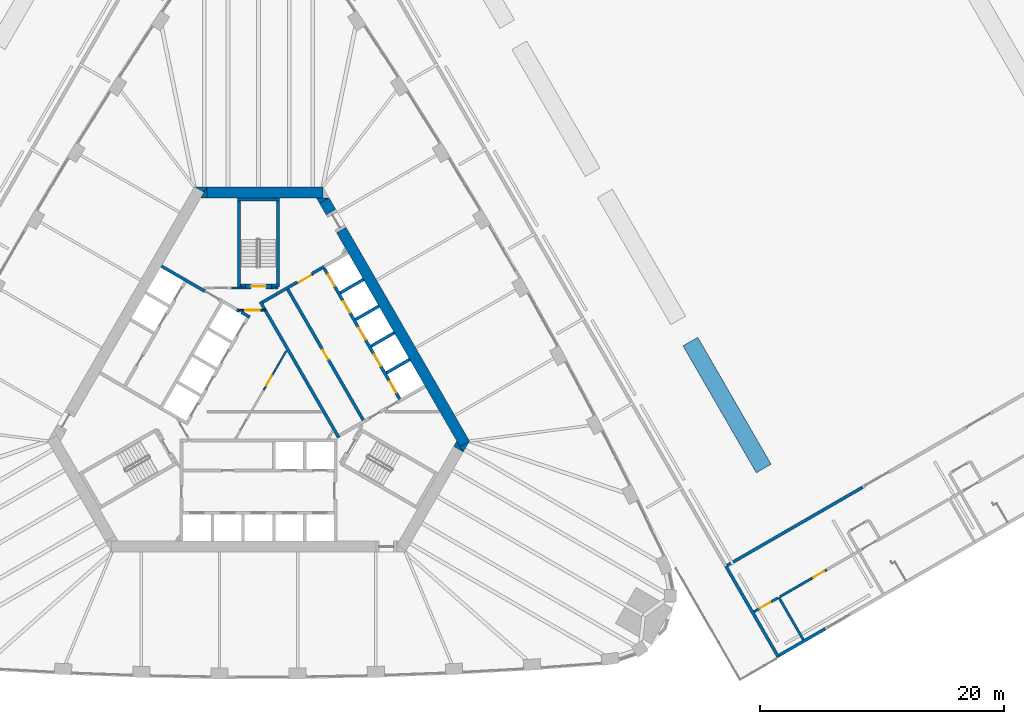
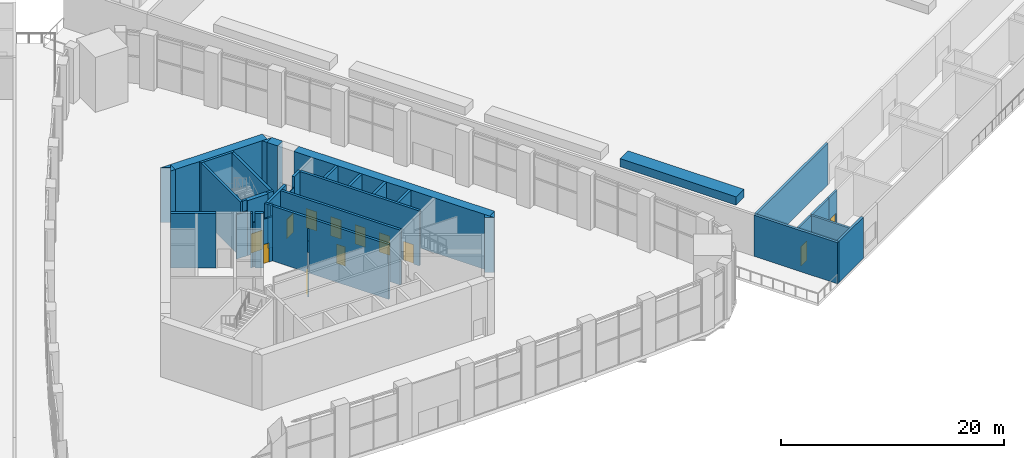
# One storey, part 27 of 41: 40 walls, 12 doors, 12 openings.
"""IFC4 building model written with IfcOpenShell, lengths in metres."""

from ifc_helpers import new_model, si_unit, direction, frame, frame_2d, origin, place, context, subcontext, project, spatial, polyline, rectangle, outline, extrude, material, layer, layer_set, type_object, element, fill, save


model = new_model("IFC4")

# Units and contexts
model_context = context("Model", 3, precision=1e-05, world=origin(), true_north=direction((0.0, 1.0)))
body_context = subcontext(model_context, "Body", "Model", "MODEL_VIEW")
ifc_project = project(units=[si_unit("LENGTHUNIT", "METRE"), si_unit("AREAUNIT", "SQUARE_METRE"), si_unit("VOLUMEUNIT", "CUBIC_METRE"), si_unit("PLANEANGLEUNIT", "RADIAN"), si_unit("MASSUNIT", "GRAM", prefix="KILO")], contexts=[model_context])

# Site, building, storey
site_placement = place(None, origin())
site = spatial("IfcSite", under=ifc_project, at=site_placement, CompositionType="ELEMENT")
building_placement = place(site_placement, origin())
building = spatial("IfcBuilding", under=site, at=building_placement, Name="Mestral Congress Tower", CompositionType="ELEMENT")
storey_placement = place(building_placement, frame((0.0, 0.0, 21.60009765625)))
storey = spatial("IfcBuildingStorey", under=building, at=storey_placement, Name="L04", CompositionType="ELEMENT", Elevation=21.60009765625)

# Walls
ifc_material_1 = material(Name="Fire-rated board partition")
ifc_layer_1 = layer(ifc_material_1, 0.14990234375)
ifc_layer_set_1 = layer_set([ifc_layer_1], Name="Fire-rated board partition")
wall_type_1 = type_object("IfcWallType", Name="Core partition 150", PredefinedType="PARTITIONING", material=ifc_layer_set_1)
wall_1_placement = place(storey_placement, frame((-2.1962890625, 8.62548828125, 0.0), z_axis=(0.0, 0.0, 1.0), x_axis=(1.0, 0.0, 0.0)))
element("IfcWall", 1, at=wall_1_placement, inside=storey, type_object=wall_type_1, Name="L04 core wall", PredefinedType="PARTITIONING", context=body_context, shape_type="SweptSolid", body=[
    extrude(rectangle(XDim=1.146240234375, YDim=0.14990234375, at=frame_2d((0.5732421875, 0.0))), origin(), (0.0, 0.0, 1.0), 4.849853515625),
])
wall_2_placement = place(storey_placement, frame((1.311767578125, 1.822021484375, 0.0), z_axis=(0.0, 0.0, 1.0), x_axis=(0.500003549559, 0.866023354436, 0.0)))
element("IfcWall", 2, at=wall_2_placement, inside=storey, type_object=wall_type_1, Name="L04 core wall", PredefinedType="PARTITIONING", context=body_context, shape_type="SweptSolid", body=[
    extrude(rectangle(XDim=1.9296875, YDim=0.14990234375, at=frame_2d((0.96484375, 0.0))), origin(), (0.0, 0.0, 1.0), 4.849853515625),
])
wall_3_placement = place(storey_placement, frame((1.050048828125, 8.62548828125, 0.0), z_axis=(0.0, 0.0, 1.0), x_axis=(1.0, 0.0, 0.0)))
element("IfcWall", 3, at=wall_3_placement, inside=storey, type_object=wall_type_1, Name="L04 core wall", PredefinedType="PARTITIONING", context=body_context, shape_type="SweptSolid", body=[
    extrude(rectangle(XDim=0.513916015625, YDim=0.14990234375, at=frame_2d((0.2568359375, 0.0))), origin(), (0.0, 0.0, 1.0), 4.849853515625),
])

# Wall, opening, door
wall_4_placement = place(storey_placement, frame((-1.534423828125, 6.800048828125, 0.0), z_axis=(0.0, 0.0, 1.0), x_axis=(1.0, 0.0, 0.0)))
wall_4 = element("IfcWall", 4, at=wall_4_placement, inside=storey, type_object=wall_type_1, Name="L04 door wall", PredefinedType="PARTITIONING", context=body_context, shape_type="SweptSolid", body=[
    extrude(rectangle(XDim=2.099853515625, YDim=0.14990234375, at=frame_2d((1.0498046875, 0.0))), origin(), (0.0, 0.0, 1.0), 4.849853515625),
])
opening_1_placement = place(wall_4_placement, frame((0.449951171875, 0.0, 0.0)))
opening_1 = element("IfcOpeningElement", 5, at=opening_1_placement, cuts=wall_4, Name="Opening CD2-FF", PredefinedType="OPENING", context=body_context, shape_type="SweptSolid", body=[
    extrude(rectangle(XDim=1.199951171875, YDim=2.10009765625, at=frame_2d((0.60009765625, 1.050048828125))), frame((0.0, 0.0849609375, 0.0), z_axis=(0.0, -1.0, 0.0), x_axis=(1.0, 0.0, 0.0)), (0.0, 0.0, 1.0), 0.169921875),
])
ifc_material_2 = material(Name="Fire-rated steel door set", Category="steel")
door_type_1 = type_object("IfcDoorType", Name="Core door CD 1200x2100", OperationType="SINGLE_SWING_LEFT", PredefinedType="DOOR", material=ifc_material_2)
door_1_placement = place(opening_1_placement, origin())
door_1 = element("IfcDoor", 6, at=door_1_placement, inside=storey, type_object=door_type_1, Name="Door CD2-FF", OperationType="SINGLE_SWING_LEFT", OverallHeight=2.10009765625, OverallWidth=1.199951171875, PredefinedType="DOOR", context=body_context, shape_type="SweptSolid", body=[
    extrude(rectangle(XDim=1.199951171875, YDim=2.10009765625, at=frame_2d((0.60009765625, 1.050048828125))), frame((0.0, 0.02490234375, 0.0), z_axis=(0.0, -1.0, 0.0), x_axis=(1.0, 0.0, 0.0)), (0.0, 0.0, 1.0), 0.050048828125),
])
fill(opening_1, door_1)

wall_5_placement = place(storey_placement, frame((0.41162109375, 0.26318359375, 0.0), z_axis=(0.0, 0.0, 1.0), x_axis=(0.500062916607, 0.865989075817, 0.0)))
wall_5 = element("IfcWall", 7, at=wall_5_placement, inside=storey, type_object=wall_type_1, Name="L04 door wall", PredefinedType="PARTITIONING", context=body_context, shape_type="SweptSolid", body=[
    extrude(rectangle(XDim=1.800048828125, YDim=0.14990234375, at=frame_2d((0.89990234375, 0.0))), origin(), (0.0, 0.0, 1.0), 4.849853515625),
])
opening_2_placement = place(wall_5_placement, frame((0.449951171875, 0.0, 0.0)))
opening_2 = element("IfcOpeningElement", 8, at=opening_2_placement, cuts=wall_5, Name="Opening SD-HUB1", PredefinedType="OPENING", context=body_context, shape_type="SweptSolid", body=[
    extrude(rectangle(XDim=0.89990234375, YDim=2.10009765625, at=frame_2d((0.449951171875, 1.050048828125))), frame((0.0, 0.0849609375, 0.0), z_axis=(0.0, -1.0, 0.0), x_axis=(1.0, 0.0, 0.0)), (0.0, 0.0, 1.0), 0.169921875),
])
door_type_2 = type_object("IfcDoorType", Name="Core door SR 900x2100", OperationType="SINGLE_SWING_LEFT", PredefinedType="DOOR", material=ifc_material_2)
door_2_placement = place(opening_2_placement, origin())
door_2 = element("IfcDoor", 9, at=door_2_placement, inside=storey, type_object=door_type_2, Name="Door SD-HUB1", OperationType="SINGLE_SWING_LEFT", OverallHeight=2.10009765625, OverallWidth=0.89990234375, PredefinedType="DOOR", context=body_context, shape_type="SweptSolid", body=[
    extrude(rectangle(XDim=0.89990234375, YDim=2.10009765625, at=frame_2d((0.449951171875, 1.050048828125))), frame((0.0, 0.02490234375, 0.0), z_axis=(0.0, -1.0, 0.0), x_axis=(1.0, 0.0, 0.0)), (0.0, 0.0, 1.0), 0.050048828125),
])
fill(opening_2, door_2)

ifc_layer_2 = layer(ifc_material_1, 0.090087890625)
ifc_layer_set_2 = layer_set([ifc_layer_2], Name="Fire-rated board partition")
wall_type_2 = type_object("IfcWallType", Name="Core partition 150 door-wall 90", PredefinedType="PARTITIONING", material=ifc_layer_set_2)
wall_6_placement = place(storey_placement, frame((3.182861328125, 9.02001953125, 0.0), z_axis=(0.0, 0.0, 1.0), x_axis=(0.866034573852, 0.49998411664, 0.0)))
wall_6 = element("IfcWall", 10, at=wall_6_placement, inside=storey, type_object=wall_type_2, Name="L04 door wall", PredefinedType="PARTITIONING", context=body_context, shape_type="SweptSolid", body=[
    extrude(rectangle(XDim=1.39990234375, YDim=0.090087890625, at=frame_2d((0.699951171875, 0.0))), origin(), (0.0, 0.0, 1.0), 4.849853515625),
])
opening_3_placement = place(wall_6_placement, frame((0.10009765625, 0.0, 0.0)))
opening_3 = element("IfcOpeningElement", 11, at=opening_3_placement, cuts=wall_6, Name="Opening LB1-WL2", PredefinedType="OPENING", context=body_context, shape_type="SweptSolid", body=[
    extrude(rectangle(XDim=1.199951171875, YDim=2.10009765625, at=frame_2d((0.60009765625, 1.050048828125))), frame((0.0, 0.054931640625, 0.0), z_axis=(0.0, -1.0, 0.0), x_axis=(1.0, 0.0, 0.0)), (0.0, 0.0, 1.0), 0.110107421875),
])
door_type_3 = type_object("IfcDoorType", Name="Core door LB 1200x2100", OperationType="SINGLE_SWING_LEFT", PredefinedType="DOOR", material=ifc_material_2)
door_3_placement = place(opening_3_placement, origin())
door_3 = element("IfcDoor", 12, at=door_3_placement, inside=storey, type_object=door_type_3, Name="Door LB1-WL2", OperationType="SINGLE_SWING_LEFT", OverallHeight=2.10009765625, OverallWidth=1.199951171875, PredefinedType="DOOR", context=body_context, shape_type="SweptSolid", body=[
    extrude(rectangle(XDim=1.199951171875, YDim=2.10009765625, at=frame_2d((0.60009765625, 1.050048828125))), frame((0.0, 0.02490234375, 0.0), z_axis=(0.0, -1.0, 0.0), x_axis=(1.0, 0.0, 0.0)), (0.0, 0.0, 1.0), 0.050048828125),
])
fill(opening_3, door_3)

# Walls
ifc_material_3 = material(Name="Concrete C60/75", Category="concrete")
ifc_layer_3 = layer(ifc_material_3, 0.89990234375)
ifc_layer_set_3 = layer_set([ifc_layer_3], Name="Concrete C60/75")
wall_type_3 = type_object("IfcWallType", Name="Core wall RC 900", PredefinedType="SOLIDWALL", material=ifc_layer_set_3)
wall_7_placement = place(storey_placement, frame((6.77587890625, 13.36376953125, 0.0), z_axis=(0.0, 0.0, 1.0), x_axis=(0.500004177138, -0.8660229921, 0.0)))
element("IfcWall", 13, at=wall_7_placement, inside=storey, type_object=wall_type_3, Name="L04 core wall", PredefinedType="SOLIDWALL", context=body_context, shape_type="SweptSolid", body=[
    extrude(rectangle(XDim=20.203857421875, YDim=0.89990234375, at=frame_2d((10.10205078125, 0.0))), origin(), (0.0, 0.0, 1.0), 6.0),
])
placement = place(storey_placement, origin())
element("IfcWall", 14, at=placement, inside=storey, type_object=wall_type_3, Name="L04 core wall", PredefinedType="SOLIDWALL", context=body_context, shape_type="SweptSolid", body=[
    extrude(outline(polyline([(16.7431640625, -4.800048828125), (16.4892578125, -4.360107421875), (17.251220703125, -3.920166015625), (16.7431640625, -4.800048828125)])), origin(), (0.0, 0.0, 1.0), 6.0),
])
element("IfcWall", 15, at=placement, inside=storey, type_object=wall_type_3, Name="L04 core wall", PredefinedType="SOLIDWALL", context=body_context, shape_type="SweptSolid", body=[
    extrude(outline(polyline([(16.223388671875, -3.900146484375), (16.731689453125, -4.780029296875), (15.969482421875, -4.340087890625), (16.223388671875, -3.900146484375)])), origin(), (0.0, 0.0, 1.0), 6.0),
])
element("IfcWall", 16, at=placement, inside=storey, type_object=wall_type_3, Name="L04 core wall", PredefinedType="SOLIDWALL", context=body_context, shape_type="SweptSolid", body=[
    extrude(outline(polyline([(-4.214599609375, 16.89990234375), (-4.46875, 16.460205078125), (-5.230712890625, 16.89990234375), (-4.214599609375, 16.89990234375)])), origin(), (0.0, 0.0, 1.0), 6.0),
])
wall_11_placement = place(storey_placement, frame((-4.224365234375, 16.449951171875, 0.0), z_axis=(0.0, 0.0, 1.0), x_axis=(1.0, 0.0, 0.0)))
element("IfcWall", 17, at=wall_11_placement, inside=storey, type_object=wall_type_3, Name="L04 core wall", PredefinedType="SOLIDWALL", context=body_context, shape_type="SweptSolid", body=[
    extrude(rectangle(XDim=9.48779296875, YDim=0.89990234375, at=frame_2d((4.743896484375, 0.0))), origin(), (0.0, 0.0, 1.0), 6.0),
])
element("IfcWall", 18, at=placement, inside=storey, type_object=wall_type_3, Name="L04 core wall", PredefinedType="SOLIDWALL", context=body_context, shape_type="SweptSolid", body=[
    extrude(outline(polyline([(-4.734375, 16.0), (-4.226318359375, 16.8798828125), (-4.226318359375, 16.0), (-4.734375, 16.0)])), origin(), (0.0, 0.0, 1.0), 6.0),
])
wall_13_placement = place(storey_placement, frame((5.92578125, 14.836181640625, 0.0), z_axis=(0.0, 0.0, 1.0), x_axis=(-0.500076735116, 0.865981096212, 0.0)))
element("IfcWall", 19, at=wall_13_placement, inside=storey, type_object=wall_type_3, Name="L04 core wall", PredefinedType="SOLIDWALL", context=body_context, shape_type="SweptSolid", body=[
    extrude(rectangle(XDim=1.093505859375, YDim=0.89990234375, at=frame_2d((0.546875, 0.0))), origin(), (0.0, 0.0, 1.0), 6.0),
])
element("IfcWall", 20, at=placement, inside=storey, type_object=wall_type_3, Name="L04 core wall", PredefinedType="SOLIDWALL", context=body_context, shape_type="SweptSolid", body=[
    extrude(outline(polyline([(4.734375, 16.0), (5.750244140625, 16.0), (4.98828125, 15.56005859375), (4.734375, 16.0)])), origin(), (0.0, 0.0, 1.0), 6.0),
])
ifc_material_4 = material(Name="Precast concrete C40/50 with limestone facing", Category="masonry")
ifc_layer_4 = layer(ifc_material_4, 0.25)
ifc_layer_set_4 = layer_set([ifc_layer_4], Name="Precast concrete C40/50 with limestone facing")
wall_type_4 = type_object("IfcWallType", Name="Podium external wall 250 R 180 load-bearing to roof", PredefinedType="SOLIDWALL", material=ifc_layer_set_4)
wall_15_placement = place(storey_placement, frame((42.5625, -21.614501953125, 0.0), z_axis=(0.0, 0.0, 1.0), x_axis=(-0.499999331568, 0.866025789703, 0.0)))
element("IfcWall", 21, at=wall_15_placement, inside=storey, type_object=wall_type_4, Name="L04 external wall", PredefinedType="SOLIDWALL", context=body_context, shape_type="SweptSolid", body=[
    extrude(rectangle(XDim=8.625, YDim=0.25, at=frame_2d((4.3125, 0.0))), origin(), (0.0, 0.0, 1.0), 4.5),
])
wall_16_placement = place(storey_placement, frame((46.397216796875, -19.256103515625, 0.0), z_axis=(0.0, 0.0, 1.0), x_axis=(-0.866022959057, -0.500004234368, 0.0)))
element("IfcWall", 22, at=wall_16_placement, inside=storey, type_object=wall_type_4, Name="L04 external wall", PredefinedType="SOLIDWALL", context=body_context, shape_type="SweptSolid", body=[
    extrude(rectangle(XDim=4.375, YDim=0.25, at=frame_2d((2.1875, 0.0))), origin(), (0.0, 0.0, 1.0), 4.5),
])
wall_17_placement = place(storey_placement, frame((49.443359375, -7.6826171875, 0.0), z_axis=(0.0, 0.0, 1.0), x_axis=(-0.866025499775, -0.499999833739, 0.0)))
element("IfcWall", 23, at=wall_17_placement, inside=storey, type_object=wall_type_4, Name="L04 external wall", PredefinedType="SOLIDWALL", context=body_context, shape_type="SweptSolid", body=[
    extrude(rectangle(XDim=12.7998046875, YDim=0.25, at=frame_2d((6.39990234375, 0.0))), origin(), (0.0, 0.0, 1.0), 4.5),
])
ifc_material_5 = material(Name="Precast concrete C30/37 planter", Category="concrete")
ifc_layer_5 = layer(ifc_material_5, 1.39990234375)
ifc_layer_set_5 = layer_set([ifc_layer_5], Name="Precast concrete C30/37 planter")
wall_type_5 = type_object("IfcWallType", Name="Podium planter bed 1400", PredefinedType="SOLIDWALL", material=ifc_layer_set_5)
wall_18_placement = place(storey_placement, frame((41.34326171875, -6.152587890625, 0.0), z_axis=(0.0, 0.0, 1.0), x_axis=(-0.49999894854, 0.866026010844, 0.0)))
element("IfcWall", 24, at=wall_18_placement, inside=storey, type_object=wall_type_5, Name="PLANTER", PredefinedType="SOLIDWALL", context=body_context, shape_type="SweptSolid", body=[
    extrude(rectangle(XDim=12.0, YDim=1.39990234375, at=frame_2d((6.0, 0.0))), origin(), (0.0, 0.0, 1.0), 0.89990234375),
])
ifc_layer_6 = layer(ifc_material_1, 0.199951171875)
ifc_layer_set_6 = layer_set([ifc_layer_6], Name="Fire-rated board partition")
wall_type_6 = type_object("IfcWallType", Name="Podium vestibule wall 200 EI 120", PredefinedType="PARTITIONING", material=ifc_layer_set_6)
wall_19_placement = place(storey_placement, frame((44.5810546875, -20.160400390625, 0.0), z_axis=(0.0, 0.0, 1.0), x_axis=(-0.49999894854, 0.866026010844, 0.0)))
element("IfcWall", 25, at=wall_19_placement, inside=storey, type_object=wall_type_6, Name="L04 partition", PredefinedType="PARTITIONING", context=body_context, shape_type="SweptSolid", body=[
    extrude(rectangle(XDim=4.0, YDim=0.199951171875, at=frame_2d((2.0, 0.0))), origin(), (0.0, 0.0, 1.0), 4.5),
])

# Wall, opening, door
wall_20_placement = place(storey_placement, frame((42.494384765625, -16.746337890625, 0.0), z_axis=(0.0, 0.0, 1.0), x_axis=(-0.866017533419, -0.500013631625, 0.0)))
wall_20 = element("IfcWall", 26, at=wall_20_placement, inside=storey, type_object=wall_type_6, Name="L04 partition", PredefinedType="PARTITIONING", context=body_context, shape_type="SweptSolid", body=[
    extrude(rectangle(XDim=2.25, YDim=0.199951171875, at=frame_2d((1.125, 0.0))), origin(), (0.0, 0.0, 1.0), 4.5),
])
opening_4_placement = place(wall_20_placement, frame((0.699951171875, 0.0, 0.0)))
opening_4 = element("IfcOpeningElement", 27, at=opening_4_placement, cuts=wall_20, Name="Opening P04-023", PredefinedType="OPENING", context=body_context, shape_type="SweptSolid", body=[
    extrude(rectangle(XDim=1.0, YDim=2.10009765625, at=frame_2d((0.5, 1.050048828125))), frame((0.0, 0.10986328125, 0.0), z_axis=(0.0, -1.0, 0.0), x_axis=(1.0, 0.0, 0.0)), (0.0, 0.0, 1.0), 0.219970703125),
])
door_type_4 = type_object("IfcDoorType", Name="Podium room door 1000x2100 EI2 30-C5", OperationType="SINGLE_SWING_LEFT", PredefinedType="DOOR", material=ifc_material_2)
door_4_placement = place(opening_4_placement, origin())
door_4 = element("IfcDoor", 28, at=door_4_placement, inside=storey, type_object=door_type_4, Name="Door P04-023", OperationType="SINGLE_SWING_LEFT", OverallHeight=2.10009765625, OverallWidth=1.0, PredefinedType="DOOR", context=body_context, shape_type="SweptSolid", body=[
    extrude(rectangle(XDim=1.0, YDim=2.10009765625, at=frame_2d((0.5, 1.050048828125))), frame((0.0, 0.02490234375, 0.0), z_axis=(0.0, -1.0, 0.0), x_axis=(1.0, 0.0, 0.0)), (0.0, 0.0, 1.0), 0.050048828125),
])
fill(opening_4, door_4)

# Wall
wall_21_placement = place(storey_placement, frame((42.66748046875, -16.646484375, 0.0), z_axis=(0.0, 0.0, 1.0), x_axis=(0.86601045545, 0.500025890382, 0.0)))
element("IfcWall", 29, at=wall_21_placement, inside=storey, type_object=wall_type_6, Name="L04 partition", PredefinedType="PARTITIONING", context=body_context, shape_type="SweptSolid", body=[
    extrude(rectangle(XDim=2.925048828125, YDim=0.199951171875, at=frame_2d((1.46240234375, 0.0))), origin(), (0.0, 0.0, 1.0), 4.5),
])

# Wall, opening, door
wall_22_placement = place(storey_placement, frame((46.499755859375, -14.433837890625, 0.0), z_axis=(0.0, 0.0, 1.0), x_axis=(-0.866031096941, -0.499990139034, 0.0)))
wall_22 = element("IfcWall", 30, at=wall_22_placement, inside=storey, type_object=wall_type_6, Name="L04 partition", PredefinedType="PARTITIONING", context=body_context, shape_type="SweptSolid", body=[
    extrude(rectangle(XDim=1.5, YDim=0.199951171875, at=frame_2d((0.75, 0.0))), origin(), (0.0, 0.0, 1.0), 4.5),
])
opening_5_placement = place(wall_22_placement, frame((0.25, 0.0, 0.0)))
opening_5 = element("IfcOpeningElement", 31, at=opening_5_placement, cuts=wall_22, Name="Opening P04-029", PredefinedType="OPENING", context=body_context, shape_type="SweptSolid", body=[
    extrude(rectangle(XDim=1.0, YDim=2.10009765625, at=frame_2d((0.5, 1.050048828125))), frame((0.0, 0.10986328125, 0.0), z_axis=(0.0, -1.0, 0.0), x_axis=(1.0, 0.0, 0.0)), (0.0, 0.0, 1.0), 0.219970703125),
])
door_5_placement = place(opening_5_placement, origin())
door_5 = element("IfcDoor", 32, at=door_5_placement, inside=storey, type_object=door_type_4, Name="Door P04-029", OperationType="SINGLE_SWING_LEFT", OverallHeight=2.10009765625, OverallWidth=1.0, PredefinedType="DOOR", context=body_context, shape_type="SweptSolid", body=[
    extrude(rectangle(XDim=1.0, YDim=2.10009765625, at=frame_2d((0.5, 1.050048828125))), frame((0.0, 0.02490234375, 0.0), z_axis=(0.0, -1.0, 0.0), x_axis=(1.0, 0.0, 0.0)), (0.0, 0.0, 1.0), 0.050048828125),
])
fill(opening_5, door_5)

# Walls
ifc_layer_7 = layer(ifc_material_3, 0.25)
ifc_layer_set_7 = layer_set([ifc_layer_7], Name="Concrete C60/75")
wall_type_7 = type_object("IfcWallType", Name="Shaft wall RC 250", PredefinedType="SOLIDWALL", material=ifc_layer_set_7)
wall_23_placement = place(storey_placement, frame((10.463623046875, 1.676513671875, 0.0), z_axis=(0.0, 0.0, 1.0), x_axis=(0.86605622881, 0.499946605688, 0.0)))
element("IfcWall", 33, at=wall_23_placement, inside=storey, type_object=wall_type_7, Name="L04 core wall", PredefinedType="SOLIDWALL", context=body_context, shape_type="SweptSolid", body=[
    extrude(rectangle(XDim=2.199951171875, YDim=0.25, at=frame_2d((1.10009765625, 0.0))), origin(), (0.0, 0.0, 1.0), 6.0),
])
element("IfcWall", 34, at=placement, inside=storey, type_object=wall_type_7, Name="L04 core wall", PredefinedType="SOLIDWALL", context=body_context, shape_type="SweptSolid", body=[
    extrude(outline(polyline([(0.565673828125, 6.72509765625), (0.565673828125, 6.875), (0.565673828125, 6.875), (0.5654296875, 6.875), (0.36083984375, 6.875), (0.03515625, 7.439208984375), (0.251708984375, 7.564208984375), (0.376708984375, 7.34765625), (6.551513671875, -3.34765625), (6.676513671875, -3.564208984375), (6.460205078125, -3.689208984375), (0.447509765625, 6.724853515625), (0.5654296875, 6.724853515625), (0.565673828125, 6.724853515625), (0.565673828125, 6.72509765625)])), origin(), (0.0, 0.0, 1.0), 6.0),
])
wall_25_placement = place(storey_placement, frame((4.3583984375, 9.791015625, 0.0), z_axis=(0.0, 0.0, 1.0), x_axis=(0.866079547155, 0.499906209203, 0.0)))
element("IfcWall", 35, at=wall_25_placement, inside=storey, type_object=wall_type_7, Name="L04 core wall", PredefinedType="SOLIDWALL", context=body_context, shape_type="SweptSolid", body=[
    extrude(rectangle(XDim=1.150146484375, YDim=0.25, at=frame_2d((0.5751953125, 0.0))), origin(), (0.0, 0.0, 1.0), 6.0),
])
wall_26_placement = place(storey_placement, frame((0.314208984375, 7.455810546875, 0.0), z_axis=(0.0, 0.0, 1.0), x_axis=(0.866013897511, 0.50001992892, 0.0)))
element("IfcWall", 36, at=wall_26_placement, inside=storey, type_object=wall_type_7, Name="L04 core wall", PredefinedType="SOLIDWALL", context=body_context, shape_type="SweptSolid", body=[
    extrude(rectangle(XDim=3.267822265625, YDim=0.25, at=frame_2d((1.6337890625, 0.0))), origin(), (0.0, 0.0, 1.0), 6.0),
])
for number, where, z_axis, x_axis, name in (
    (37, (6.68359375, 8.2236328125, 0.0), (0.0, 0.0, 1.0), (0.86605622881, 0.499946605688, 0.0), "L04 core wall"),
    (38, (7.943603515625, 6.041259765625, 0.0), (0.0, 0.0, 1.0), (0.86605622881, 0.499946605688, 0.0), "L04 core wall"),
    (39, (9.20361328125, 3.85888671875, 0.0), (0.0, 0.0, 1.0), (0.86605622881, 0.499946605688, 0.0), "L04 core wall"),
):
    element("IfcWall", number, at=place(storey_placement, frame(where, z_axis=z_axis, x_axis=x_axis)), inside=storey, type_object=wall_type_7, Name=name, PredefinedType="SOLIDWALL", context=body_context, shape_type="SweptSolid", body=[
        extrude(rectangle(XDim=2.199951171875, YDim=0.25, at=frame_2d((1.10009765625, 0.0))), origin(), (0.0, 0.0, 1.0), 6.0),
    ])
wall_27_placement = place(storey_placement, frame((-1.75830078125, 6.834716796875, 0.0), z_axis=(0.0, 0.0, 1.0), x_axis=(0.865982457891, -0.500074377092, 0.0)))
element("IfcWall", 40, at=wall_27_placement, inside=storey, type_object=wall_type_7, Name="L04 core wall", PredefinedType="SOLIDWALL", context=body_context, shape_type="SweptSolid", body=[
    extrude(rectangle(XDim=0.2001953125, YDim=0.25, at=frame_2d((0.10009765625, 0.0))), origin(), (0.0, 0.0, 1.0), 6.0),
])
wall_28_placement = place(storey_placement, frame((-0.7275390625, 6.23974609375, 0.0), z_axis=(0.0, 0.0, 1.0), x_axis=(-0.865955664968, 0.500120771724, 0.0)))
element("IfcWall", 41, at=wall_28_placement, inside=storey, type_object=wall_type_7, Name="L04 core wall", PredefinedType="SOLIDWALL", context=body_context, shape_type="SweptSolid", body=[
    extrude(rectangle(XDim=0.778076171875, YDim=0.25, at=frame_2d((0.38916015625, 0.0))), origin(), (0.0, 0.0, 1.0), 6.0),
])
wall_29_placement = place(storey_placement, frame((-7.958984375, 10.414794921875, 0.0), z_axis=(0.0, 0.0, 1.0), x_axis=(0.866020958405, -0.500007699544, 0.0)))
element("IfcWall", 42, at=wall_29_placement, inside=storey, type_object=wall_type_7, Name="L04 core wall", PredefinedType="SOLIDWALL", context=body_context, shape_type="SweptSolid", body=[
    extrude(rectangle(XDim=4.099609375, YDim=0.25, at=frame_2d((2.0498046875, 0.0))), origin(), (0.0, 0.0, 1.0), 6.0),
])

# Wall, openings, doors
wall_30_placement = place(storey_placement, frame((11.552978515625, -0.460205078125, 0.0), z_axis=(0.0, 0.0, 1.0), x_axis=(-0.500006514828, 0.866021642414, 0.0)))
wall_30 = element("IfcWall", 43, at=wall_30_placement, inside=storey, type_object=wall_type_7, Name="L04 door wall", PredefinedType="SOLIDWALL", context=body_context, shape_type="SweptSolid", body=[
    extrude(rectangle(XDim=12.349853515625, YDim=0.25, at=frame_2d((6.1748046875, 0.0))), origin(), (0.0, 0.0, 1.0), 6.0),
])
opening_6_placement = place(wall_30_placement, frame((0.5849609375, 0.0, 0.0)))
opening_6 = element("IfcOpeningElement", 44, at=opening_6_placement, cuts=wall_30, Name="Opening LD-NEA1", PredefinedType="OPENING", context=body_context, shape_type="SweptSolid", body=[
    extrude(rectangle(XDim=1.10009765625, YDim=2.10009765625, at=frame_2d((0.550048828125, 1.050048828125))), frame((0.0, 0.135009765625, 0.0), z_axis=(0.0, -1.0, 0.0), x_axis=(1.0, 0.0, 0.0)), (0.0, 0.0, 1.0), 0.27001953125),
])
opening_7_placement = place(wall_30_placement, frame((3.10498046875, 0.0, 0.0)))
opening_7 = element("IfcOpeningElement", 45, at=opening_7_placement, cuts=wall_30, Name="Opening LD-NEA2", PredefinedType="OPENING", context=body_context, shape_type="SweptSolid", body=[
    extrude(rectangle(XDim=1.10009765625, YDim=2.10009765625, at=frame_2d((0.550048828125, 1.050048828125))), frame((0.0, 0.135009765625, 0.0), z_axis=(0.0, -1.0, 0.0), x_axis=(1.0, 0.0, 0.0)), (0.0, 0.0, 1.0), 0.27001953125),
])
opening_8_placement = place(wall_30_placement, frame((5.625, 0.0, 0.0)))
opening_8 = element("IfcOpeningElement", 46, at=opening_8_placement, cuts=wall_30, Name="Opening LD-NEA3", PredefinedType="OPENING", context=body_context, shape_type="SweptSolid", body=[
    extrude(rectangle(XDim=1.10009765625, YDim=2.10009765625, at=frame_2d((0.550048828125, 1.050048828125))), frame((0.0, 0.135009765625, 0.0), z_axis=(0.0, -1.0, 0.0), x_axis=(1.0, 0.0, 0.0)), (0.0, 0.0, 1.0), 0.27001953125),
])
opening_9_placement = place(wall_30_placement, frame((8.14501953125, 0.0, 0.0)))
opening_9 = element("IfcOpeningElement", 47, at=opening_9_placement, cuts=wall_30, Name="Opening LD-NEA4", PredefinedType="OPENING", context=body_context, shape_type="SweptSolid", body=[
    extrude(rectangle(XDim=1.10009765625, YDim=2.10009765625, at=frame_2d((0.550048828125, 1.050048828125))), frame((0.0, 0.135009765625, 0.0), z_axis=(0.0, -1.0, 0.0), x_axis=(1.0, 0.0, 0.0)), (0.0, 0.0, 1.0), 0.27001953125),
])
opening_10_placement = place(wall_30_placement, frame((10.6650390625, 0.0, 0.0)))
opening_10 = element("IfcOpeningElement", 48, at=opening_10_placement, cuts=wall_30, Name="Opening LD-NEA5", PredefinedType="OPENING", context=body_context, shape_type="SweptSolid", body=[
    extrude(rectangle(XDim=1.10009765625, YDim=2.10009765625, at=frame_2d((0.550048828125, 1.050048828125))), frame((0.0, 0.135009765625, 0.0), z_axis=(0.0, -1.0, 0.0), x_axis=(1.0, 0.0, 0.0)), (0.0, 0.0, 1.0), 0.27001953125),
])
door_type_5 = type_object("IfcDoorType", Name="Core door LD 1100x2100", OperationType="DOUBLE_DOOR_SLIDING", PredefinedType="DOOR", material=ifc_material_2)
door_6_placement = place(opening_6_placement, origin())
door_6 = element("IfcDoor", 49, at=door_6_placement, inside=storey, type_object=door_type_5, Name="Door LD-NEA1", OperationType="DOUBLE_DOOR_SLIDING", OverallHeight=2.10009765625, OverallWidth=1.10009765625, PredefinedType="DOOR", context=body_context, shape_type="SweptSolid", body=[
    extrude(rectangle(XDim=1.10009765625, YDim=2.10009765625, at=frame_2d((0.550048828125, 1.050048828125))), frame((0.0, 0.02490234375, 0.0), z_axis=(0.0, -1.0, 0.0), x_axis=(1.0, 0.0, 0.0)), (0.0, 0.0, 1.0), 0.050048828125),
])
fill(opening_6, door_6)
door_7_placement = place(opening_7_placement, origin())
door_7 = element("IfcDoor", 50, at=door_7_placement, inside=storey, type_object=door_type_5, Name="Door LD-NEA2", OperationType="DOUBLE_DOOR_SLIDING", OverallHeight=2.10009765625, OverallWidth=1.10009765625, PredefinedType="DOOR", context=body_context, shape_type="SweptSolid", body=[
    extrude(rectangle(XDim=1.10009765625, YDim=2.10009765625, at=frame_2d((0.550048828125, 1.050048828125))), frame((0.0, 0.02490234375, 0.0), z_axis=(0.0, -1.0, 0.0), x_axis=(1.0, 0.0, 0.0)), (0.0, 0.0, 1.0), 0.050048828125),
])
fill(opening_7, door_7)
door_8_placement = place(opening_8_placement, origin())
door_8 = element("IfcDoor", 51, at=door_8_placement, inside=storey, type_object=door_type_5, Name="Door LD-NEA3", OperationType="DOUBLE_DOOR_SLIDING", OverallHeight=2.10009765625, OverallWidth=1.10009765625, PredefinedType="DOOR", context=body_context, shape_type="SweptSolid", body=[
    extrude(rectangle(XDim=1.10009765625, YDim=2.10009765625, at=frame_2d((0.550048828125, 1.050048828125))), frame((0.0, 0.02490234375, 0.0), z_axis=(0.0, -1.0, 0.0), x_axis=(1.0, 0.0, 0.0)), (0.0, 0.0, 1.0), 0.050048828125),
])
fill(opening_8, door_8)
door_9_placement = place(opening_9_placement, origin())
door_9 = element("IfcDoor", 52, at=door_9_placement, inside=storey, type_object=door_type_5, Name="Door LD-NEA4", OperationType="DOUBLE_DOOR_SLIDING", OverallHeight=2.10009765625, OverallWidth=1.10009765625, PredefinedType="DOOR", context=body_context, shape_type="SweptSolid", body=[
    extrude(rectangle(XDim=1.10009765625, YDim=2.10009765625, at=frame_2d((0.550048828125, 1.050048828125))), frame((0.0, 0.02490234375, 0.0), z_axis=(0.0, -1.0, 0.0), x_axis=(1.0, 0.0, 0.0)), (0.0, 0.0, 1.0), 0.050048828125),
])
fill(opening_9, door_9)
door_10_placement = place(opening_10_placement, origin())
door_10 = element("IfcDoor", 53, at=door_10_placement, inside=storey, type_object=door_type_5, Name="Door LD-NEA5", OperationType="DOUBLE_DOOR_SLIDING", OverallHeight=2.10009765625, OverallWidth=1.10009765625, PredefinedType="DOOR", context=body_context, shape_type="SweptSolid", body=[
    extrude(rectangle(XDim=1.10009765625, YDim=2.10009765625, at=frame_2d((0.550048828125, 1.050048828125))), frame((0.0, 0.02490234375, 0.0), z_axis=(0.0, -1.0, 0.0), x_axis=(1.0, 0.0, 0.0)), (0.0, 0.0, 1.0), 0.050048828125),
])
fill(opening_10, door_10)

# Wall, opening, door
wall_31_placement = place(storey_placement, frame((8.565185546875, -2.185302734375, 0.0), z_axis=(0.0, 0.0, 1.0), x_axis=(-0.499997954832, 0.866026584559, 0.0)))
wall_31 = element("IfcWall", 54, at=wall_31_placement, inside=storey, type_object=wall_type_7, Name="L04 door wall", PredefinedType="SOLIDWALL", context=body_context, shape_type="SweptSolid", body=[
    extrude(rectangle(XDim=12.35009765625, YDim=0.25, at=frame_2d((6.175048828125, 0.0))), origin(), (0.0, 0.0, 1.0), 6.0),
])
opening_11_placement = place(wall_31_placement, frame((5.72509765625, 0.0, 0.0)))
opening_11 = element("IfcOpeningElement", 55, at=opening_11_placement, cuts=wall_31, Name="Opening SR-NEB1", PredefinedType="OPENING", context=body_context, shape_type="SweptSolid", body=[
    extrude(rectangle(XDim=0.89990234375, YDim=2.10009765625, at=frame_2d((0.449951171875, 1.050048828125))), frame((0.0, 0.135009765625, 0.0), z_axis=(0.0, -1.0, 0.0), x_axis=(1.0, 0.0, 0.0)), (0.0, 0.0, 1.0), 0.27001953125),
])
door_11_placement = place(opening_11_placement, origin())
door_11 = element("IfcDoor", 56, at=door_11_placement, inside=storey, type_object=door_type_2, Name="Door SR-NEB1", OperationType="SINGLE_SWING_LEFT", OverallHeight=2.10009765625, OverallWidth=0.89990234375, PredefinedType="DOOR", context=body_context, shape_type="SweptSolid", body=[
    extrude(rectangle(XDim=0.89990234375, YDim=2.10009765625, at=frame_2d((0.449951171875, 1.050048828125))), frame((0.0, 0.02490234375, 0.0), z_axis=(0.0, -1.0, 0.0), x_axis=(1.0, 0.0, 0.0)), (0.0, 0.0, 1.0), 0.050048828125),
])
fill(opening_11, door_11)

# Walls
ifc_layer_8 = layer(ifc_material_3, 0.25)
ifc_layer_set_8 = layer_set([ifc_layer_8], Name="Concrete C60/75")
wall_type_8 = type_object("IfcWallType", Name="Stair wall RC 250", PredefinedType="SOLIDWALL", material=ifc_layer_set_8)
wall_32_placement = place(storey_placement, frame((-1.72509765625, 15.875, 0.0), z_axis=(0.0, 0.0, 1.0), x_axis=(1.0, 0.0, 0.0)))
element("IfcWall", 57, at=wall_32_placement, inside=storey, type_object=wall_type_8, Name="L04 core wall", PredefinedType="SOLIDWALL", context=body_context, shape_type="SweptSolid", body=[
    extrude(rectangle(XDim=3.4501953125, YDim=0.25, at=frame_2d((1.72509765625, 0.0))), origin(), (0.0, 0.0, 1.0), 6.0),
])
wall_33_placement = place(storey_placement, frame((1.60009765625, 8.949951171875, 0.0), z_axis=(0.0, 0.0, 1.0), x_axis=(0.0, 1.0, 0.0)))
element("IfcWall", 58, at=wall_33_placement, inside=storey, type_object=wall_type_8, Name="L04 core wall", PredefinedType="SOLIDWALL", context=body_context, shape_type="SweptSolid", body=[
    extrude(rectangle(XDim=6.800048828125, YDim=0.25, at=frame_2d((3.39990234375, 0.0))), origin(), (0.0, 0.0, 1.0), 6.0),
])
wall_34_placement = place(storey_placement, frame((1.050048828125, 8.824951171875, 0.0), z_axis=(0.0, 0.0, 1.0), x_axis=(1.0, 0.0, 0.0)))
element("IfcWall", 59, at=wall_34_placement, inside=storey, type_object=wall_type_8, Name="L04 core wall", PredefinedType="SOLIDWALL", context=body_context, shape_type="SweptSolid", body=[
    extrude(rectangle(XDim=0.675048828125, YDim=0.25, at=frame_2d((0.33740234375, 0.0))), origin(), (0.0, 0.0, 1.0), 6.0),
])
wall_35_placement = place(storey_placement, frame((-1.60009765625, 8.699951171875, 0.0), z_axis=(0.0, 0.0, 1.0), x_axis=(0.0, 1.0, 0.0)))
element("IfcWall", 60, at=wall_35_placement, inside=storey, type_object=wall_type_8, Name="L04 core wall", PredefinedType="SOLIDWALL", context=body_context, shape_type="SweptSolid", body=[
    extrude(rectangle(XDim=7.050048828125, YDim=0.25, at=frame_2d((3.52490234375, 0.0))), origin(), (0.0, 0.0, 1.0), 6.0),
])
wall_36_placement = place(storey_placement, frame((-1.47509765625, 8.824951171875, 0.0), z_axis=(0.0, 0.0, 1.0), x_axis=(1.0, 0.0, 0.0)))
element("IfcWall", 61, at=wall_36_placement, inside=storey, type_object=wall_type_8, Name="L04 core wall", PredefinedType="SOLIDWALL", context=body_context, shape_type="SweptSolid", body=[
    extrude(rectangle(XDim=0.425048828125, YDim=0.25, at=frame_2d((0.21240234375, 0.0))), origin(), (0.0, 0.0, 1.0), 6.0),
])

# Wall, opening, door
ifc_layer_9 = layer(ifc_material_3, 0.39990234375)
ifc_layer_set_9 = layer_set([ifc_layer_9], Name="Concrete C60/75")
wall_type_9 = type_object("IfcWallType", Name="Stair wall RC 250 door-wall 400", PredefinedType="SOLIDWALL", material=ifc_layer_set_9)
wall_37_placement = place(storey_placement, frame((1.050048828125, 8.75, 0.0), z_axis=(0.0, 0.0, 1.0), x_axis=(-1.0, 0.0, 0.0)))
wall_37 = element("IfcWall", 62, at=wall_37_placement, inside=storey, type_object=wall_type_9, Name="L04 door wall", PredefinedType="SOLIDWALL", context=body_context, shape_type="SweptSolid", body=[
    extrude(rectangle(XDim=2.10009765625, YDim=0.39990234375, at=frame_2d((1.050048828125, 0.0))), origin(), (0.0, 0.0, 1.0), 6.0),
])
opening_12_placement = place(wall_37_placement, frame((0.449951171875, 0.0, 0.0)))
opening_12 = element("IfcOpeningElement", 63, at=opening_12_placement, cuts=wall_37, Name="Opening ST-D2", PredefinedType="OPENING", context=body_context, shape_type="SweptSolid", body=[
    extrude(rectangle(XDim=1.199951171875, YDim=2.10009765625, at=frame_2d((0.60009765625, 1.050048828125))), frame((0.0, 0.2099609375, 0.0), z_axis=(0.0, -1.0, 0.0), x_axis=(1.0, 0.0, 0.0)), (0.0, 0.0, 1.0), 0.419921875),
])
door_type_6 = type_object("IfcDoorType", Name="Core door ST 1200x2100", OperationType="SINGLE_SWING_LEFT", PredefinedType="DOOR", material=ifc_material_2)
door_12_placement = place(opening_12_placement, origin())
door_12 = element("IfcDoor", 64, at=door_12_placement, inside=storey, type_object=door_type_6, Name="Door ST-D2", OperationType="SINGLE_SWING_LEFT", OverallHeight=2.10009765625, OverallWidth=1.199951171875, PredefinedType="DOOR", context=body_context, shape_type="SweptSolid", body=[
    extrude(rectangle(XDim=1.199951171875, YDim=2.10009765625, at=frame_2d((0.60009765625, 1.050048828125))), frame((0.0, 0.02490234375, 0.0), z_axis=(0.0, -1.0, 0.0), x_axis=(1.0, 0.0, 0.0)), (0.0, 0.0, 1.0), 0.050048828125),
])
fill(opening_12, door_12)

save(model, "model.ifc")
